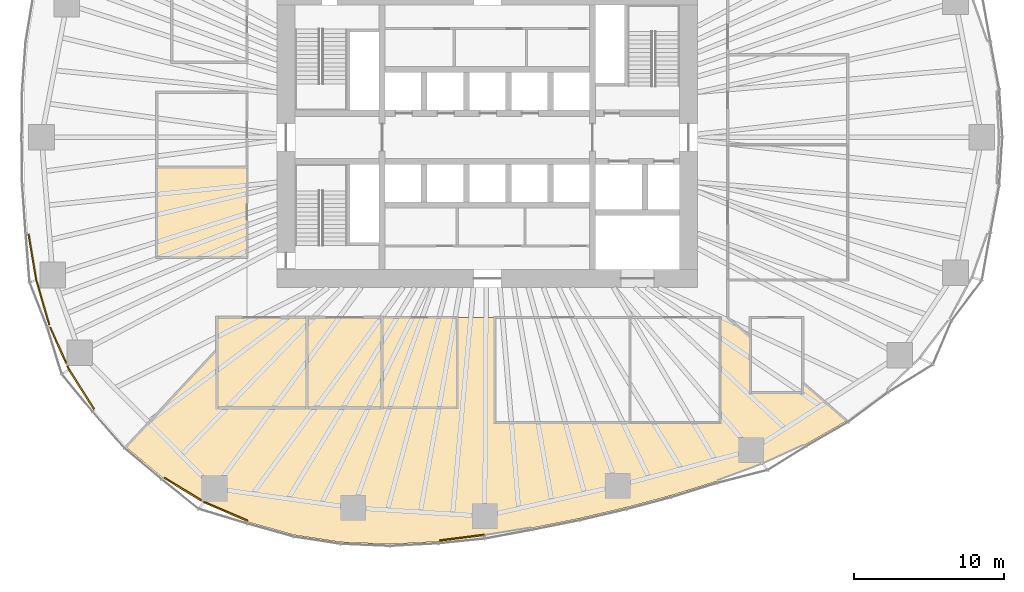
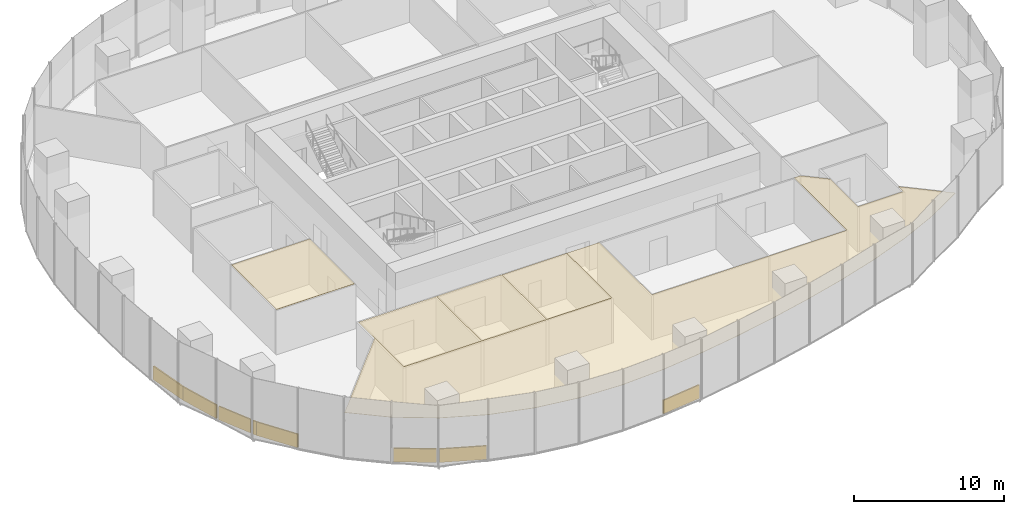
# One storey, part 17 of 20: 13 coverings.
"""IFC4 building model written with IfcOpenShell, lengths in metres."""

import ifcopenshell
import ifcopenshell.guid

model = None  # the IFC model being written
_history = None  # IfcOwnerHistory: only IFC2X3 demands one
_inside = {}  # id of a spatial element -> (the spatial element, [elements in it])
_under = {}  # id of a project, library or spatial element -> (it, [spatial elements below it])
_declared = {}  # id of a project -> (the project, [libraries it declares])
_typed = {}  # id of a type object -> (the type object, [elements of that type])
_made_of = {}  # id of a material, layer set ... -> (it, [elements and type objects made of it])


def new_model(schema):
    """Start an empty IFC model of exactly this schema.

    Asked for "IFC4X3", IfcOpenShell would pick the latest addendum, in which some entities
    have other attributes; the version numbers below select the first issue.
    IFC2X3 requires an IfcOwnerHistory on every rooted entity: one is made here for all.
    """
    global model, _history
    if schema == "IFC4X3":
        model = ifcopenshell.file(schema_version=(4, 3, 0, 0))
    else:
        model = ifcopenshell.file(schema=schema)
    _inside.clear()
    _under.clear()
    _declared.clear()
    _typed.clear()
    _made_of.clear()
    _history = None
    if model.schema == "IFC2X3":
        org = make("IfcOrganization", Name="unknown")
        user = make(
            "IfcPersonAndOrganization",
            ThePerson=make("IfcPerson", FamilyName="unknown"),
            TheOrganization=org,
        )
        app = make(
            "IfcApplication",
            ApplicationDeveloper=org,
            Version="unknown",
            ApplicationFullName="unknown",
            ApplicationIdentifier="unknown",
        )
        _history = make(
            "IfcOwnerHistory",
            OwningUser=user,
            OwningApplication=app,
            ChangeAction="ADDED",
            CreationDate=0,
        )
    return model


def make(cls, **values):
    """One entity of the class cls with the attributes given. An attribute that is None is left unset."""
    return model.create_entity(
        cls, **{name: value for name, value in values.items() if value is not None}
    )


def rooted(cls, **values):
    """An entity with a GlobalId (a new one), such as an element, a storey or a relation."""
    return make(cls, GlobalId=ifcopenshell.guid.new(), OwnerHistory=_history, **values)


def si_unit(unit_type, name, prefix=None):
    """IfcSIUnit, for example si_unit("LENGTHUNIT", "METRE", prefix="MILLI")."""
    return make("IfcSIUnit", UnitType=unit_type, Prefix=prefix, Name=name)


def assignment(units):
    """IfcUnitAssignment: the units of a project."""
    return None if units is None else make("IfcUnitAssignment", Units=units)


def point(xyz):
    """IfcCartesianPoint."""
    return None if xyz is None else make("IfcCartesianPoint", Coordinates=xyz)


def direction(xyz):
    """IfcDirection."""
    return None if xyz is None else make("IfcDirection", DirectionRatios=xyz)


def frame(location, z_axis=None, x_axis=None):
    """IfcAxis2Placement3D, a coordinate frame: its origin and axes. An axis left out is left unset."""
    return make(
        "IfcAxis2Placement3D",
        Location=point(location),
        Axis=direction(z_axis),
        RefDirection=direction(x_axis),
    )


def frame_2d(location, x_axis=None):
    """IfcAxis2Placement2D, a coordinate frame in the plane: its origin and x axis."""
    return make(
        "IfcAxis2Placement2D", Location=point(location), RefDirection=direction(x_axis)
    )


def origin():
    """The frame at (0, 0, 0) with its axes left unset."""
    return frame((0.0, 0.0, 0.0))


def origin_2d():
    """The frame at (0, 0) in the plane with its x axis left unset."""
    return frame_2d((0.0, 0.0))


def place(relative_to, where):
    """IfcLocalPlacement: puts the frame where relative to a parent placement (None: the world)."""
    return make(
        "IfcLocalPlacement", PlacementRelTo=relative_to, RelativePlacement=where
    )


def context(
    kind, dimensions, precision=None, world=None, true_north=None, identifier=None
):
    """IfcGeometricRepresentationContext, for example the 3D "Model" context."""
    return make(
        "IfcGeometricRepresentationContext",
        ContextIdentifier=identifier,
        ContextType=kind,
        CoordinateSpaceDimension=dimensions,
        Precision=precision,
        WorldCoordinateSystem=world,
        TrueNorth=true_north,
    )


def subcontext(parent, identifier, kind, view, scale=None):
    """IfcGeometricRepresentationSubContext, for example "Body" below "Model"."""
    return make(
        "IfcGeometricRepresentationSubContext",
        ContextIdentifier=identifier,
        ContextType=kind,
        ParentContext=parent,
        TargetScale=scale,
        TargetView=view,
    )


def project(units=None, contexts=None):
    """IfcProject with its units and contexts."""
    return rooted(
        "IfcProject",
        Name="project",
        RepresentationContexts=contexts,
        UnitsInContext=assignment(units),
    )


def spatial(cls, under=None, at=None, **own):
    """A site, building, storey or space (cls), placed at a placement, below another one or the project."""
    s = rooted(cls, ObjectPlacement=at, **own)
    if under is not None:
        _under.setdefault(under.id(), (under, []))[1].append(s)
    return s


def polyline(points):
    """IfcPolyline through the points."""
    return make("IfcPolyline", Points=[point(p) for p in points])


def profile(cls, at=None, kind="AREA", **sizes):
    """A parametric profile (cls). Its sizes go by their IFC names, for example OverallWidth=200.0."""
    return make(cls, ProfileType=kind, Position=at, **sizes)


def rectangle(**sizes):
    """IfcRectangleProfileDef."""
    return profile("IfcRectangleProfileDef", **sizes)


def outline(outer, holes=None, kind="AREA"):
    """IfcArbitraryClosedProfileDef: a profile drawn as a closed curve; with holes, ...WithVoids."""
    if holes is None:
        return make("IfcArbitraryClosedProfileDef", ProfileType=kind, OuterCurve=outer)
    return make(
        "IfcArbitraryProfileDefWithVoids",
        ProfileType=kind,
        OuterCurve=outer,
        InnerCurves=holes,
    )


def extrude(swept, where, along, depth):
    """IfcExtrudedAreaSolid: the profile swept, set in the frame where, extruded along a direction by depth."""
    return make(
        "IfcExtrudedAreaSolid",
        SweptArea=swept,
        Position=where,
        ExtrudedDirection=direction(along),
        Depth=depth,
    )


def shape(context_of_items, identifier, shape_type, items):
    """IfcShapeRepresentation: the items that make up one representation, for example the "Body"."""
    return make(
        "IfcShapeRepresentation",
        ContextOfItems=context_of_items,
        RepresentationIdentifier=identifier,
        RepresentationType=shape_type,
        Items=items,
    )


def material(Name=None, Category=None):
    """IfcMaterial."""
    return make("IfcMaterial", Name=Name, Category=Category)


def layer(
    of_material, thickness, ventilated=None, Name=None, Category=None, Priority=None
):
    """IfcMaterialLayer: one layer of a wall or slab, of a material (None: an air gap)."""
    return make(
        "IfcMaterialLayer",
        Material=of_material,
        LayerThickness=thickness,
        IsVentilated=ventilated,
        Name=Name,
        Category=Category,
        Priority=Priority,
    )


def layer_set(layers, Name=None):
    """IfcMaterialLayerSet."""
    return make("IfcMaterialLayerSet", MaterialLayers=layers, LayerSetName=Name)


def made_of(thing, what):
    """Note that an element or type object is made of a material, layer set ...; save() writes the relation."""
    if what is not None:
        _made_of.setdefault(what.id(), (what, []))[1].append(thing)
    return thing


def type_object(cls, material=None, **own):
    """A type object (cls), such as IfcWallType, which elements share."""
    return made_of(rooted(cls, **own), material)


def element(
    cls,
    number,
    at=None,
    inside=None,
    cuts=None,
    type_object=None,
    material=None,
    context=None,
    identifier="Body",
    shape_type=None,
    held_by="IfcProductDefinitionShape",
    body=None,
    shapes=None,
    **own,
):
    """One element of the class cls, such as IfcWall. Its Tag is "e" and its number.

    at: its placement. inside: the storey or other place that contains it. cuts: it is an
    opening in that element (IfcRelVoidsElement). A single representation is given by context,
    identifier, shape_type and body (its items); several are given by shapes. held_by: the class
    of the entity that holds the representations. save() writes the other relations.
    """
    e = rooted(cls, Tag="e%d" % number, ObjectPlacement=at, **own)
    if body is not None:
        shapes = [shape(context, identifier, shape_type, body)]
    if shapes is not None:
        e.Representation = make(held_by, Representations=shapes)
    if inside is not None:
        _inside.setdefault(inside.id(), (inside, []))[1].append(e)
    if cuts is not None:
        rooted(
            "IfcRelVoidsElement", RelatingBuildingElement=cuts, RelatedOpeningElement=e
        )
    if type_object is not None:
        _typed.setdefault(type_object.id(), (type_object, []))[1].append(e)
    return made_of(e, material)


def aggregate(whole, parts):
    """IfcRelAggregates: a whole, such as a stair, and the parts it consists of."""
    return rooted("IfcRelAggregates", RelatingObject=whole, RelatedObjects=parts)


def save(model, path):
    """Write the relations noted so far, then the file.

    IfcRelAggregates (storeys below a building ...), IfcRelContainedInSpatialStructure (elements
    in a storey), IfcRelDefinesByType, IfcRelAssociatesMaterial and IfcRelDeclares: one each for
    every whole, place, type object, material and project.
    """
    for whole, parts in _under.values():
        aggregate(whole, parts)
    for where, things in _inside.values():
        rooted(
            "IfcRelContainedInSpatialStructure",
            RelatedElements=things,
            RelatingStructure=where,
        )
    for kind, things in _typed.values():
        rooted("IfcRelDefinesByType", RelatedObjects=things, RelatingType=kind)
    for what, things in _made_of.values():
        rooted("IfcRelAssociatesMaterial", RelatedObjects=things, RelatingMaterial=what)
    for by, libraries in _declared.values():
        rooted("IfcRelDeclares", RelatingContext=by, RelatedDefinitions=libraries)
    model.write(path)


model = new_model("IFC4")

# Units and contexts
model_context = context("Model", 3, precision=1e-05, world=origin(), true_north=direction((0.0, 1.0)))
body_context = subcontext(model_context, "Body", "Model", "MODEL_VIEW")
ifc_project = project(units=[si_unit("LENGTHUNIT", "METRE"), si_unit("AREAUNIT", "SQUARE_METRE"), si_unit("VOLUMEUNIT", "CUBIC_METRE"), si_unit("PLANEANGLEUNIT", "RADIAN"), si_unit("MASSUNIT", "GRAM", prefix="KILO")], contexts=[model_context])

# Site, building, storey
site_placement = place(None, origin())
site = spatial("IfcSite", under=ifc_project, at=site_placement, CompositionType="ELEMENT")
building_placement = place(site_placement, origin())
building = spatial("IfcBuilding", under=site, at=building_placement, Name="Ghaith Harvest Tower", CompositionType="ELEMENT")
storey_placement = place(building_placement, frame((0.0, 0.0, 60.0)))
storey = spatial("IfcBuildingStorey", under=building, at=storey_placement, Name="L12", CompositionType="ELEMENT", Elevation=60.0)

# Coverings
ifc_material_1 = material(Name="Mineral fibre ceiling tile", Category="gypsum")
ifc_layer_1 = layer(ifc_material_1, 0.02490234375)
ifc_layer_set_1 = layer_set([ifc_layer_1], Name="CEILING C2")
covering_type_1 = type_object("IfcCoveringType", Name="CEILING C2", PredefinedType="CEILING", material=ifc_layer_set_1)
covering_1_placement = place(storey_placement, frame((0.0, 0.0, 3.60009765625)))
element("IfcCovering", 1, at=covering_1_placement, inside=storey, type_object=covering_type_1, Name="Ceiling L12-07", PredefinedType="CEILING", context=body_context, shape_type="SweptSolid", body=[
    extrude(outline(polyline([(-22.0, -8.0), (-16.0, -8.0), (-16.0, -2.0), (-22.0, -2.0), (-22.0, -8.0)])), origin(), (0.0, 0.0, 1.0), 0.02490234375),
])
covering_2_placement = place(storey_placement, frame((0.0, 0.0, 3.60009765625)))
element("IfcCovering", 2, at=covering_2_placement, inside=storey, type_object=covering_type_1, Name="Ceiling L12-09", PredefinedType="CEILING", context=body_context, shape_type="SweptSolid", body=[
    extrude(outline(polyline([(-18.0, -18.0), (-12.0, -18.0), (-12.0, -12.0), (-18.0, -12.0), (-18.0, -18.0)])), origin(), (0.0, 0.0, 1.0), 0.02490234375),
])
covering_3_placement = place(storey_placement, frame((0.0, 0.0, 3.60009765625)))
element("IfcCovering", 3, at=covering_3_placement, inside=storey, type_object=covering_type_1, Name="Ceiling L12-10", PredefinedType="CEILING", context=body_context, shape_type="SweptSolid", body=[
    extrude(outline(polyline([(-12.0, -18.0), (-7.0, -18.0), (-7.0, -12.0), (-12.0, -12.0), (-12.0, -18.0)])), origin(), (0.0, 0.0, 1.0), 0.02490234375),
])
covering_4_placement = place(storey_placement, frame((0.0, 0.0, 3.60009765625)))
element("IfcCovering", 4, at=covering_4_placement, inside=storey, type_object=covering_type_1, Name="Ceiling L12-11", PredefinedType="CEILING", context=body_context, shape_type="SweptSolid", body=[
    extrude(outline(polyline([(-7.0, -18.0), (-2.0, -18.0), (-2.0, -12.0), (-7.0, -12.0), (-7.0, -18.0)])), origin(), (0.0, 0.0, 1.0), 0.02490234375),
])
covering_5_placement = place(storey_placement, frame((0.0, 0.0, 3.60009765625)))
element("IfcCovering", 5, at=covering_5_placement, inside=storey, type_object=covering_type_1, Name="Ceiling L12-S1", PredefinedType="CEILING", context=body_context, shape_type="SweptSolid", body=[
    extrude(outline(polyline([(-12.828125, -26.476806640625), (-15.907958984375, -25.614501953125), (-18.8935546875, -24.32763671875), (-21.59912109375, -22.671142578125), (-24.04833984375, -20.618408203125), (-18.0, -14.1416015625), (-18.0, -18.0), (-2.0, -18.0), (-2.0, -12.0), (0.5, -12.0), (0.5, -19.0), (15.5, -19.0), (15.5, -12.0), (16.0, -12.0), (17.5, -13.301025390625), (17.5, -17.0), (21.0, -17.0), (21.0, -16.336669921875), (23.92431640625, -18.873046875), (21.149169921875, -20.469482421875), (18.34521484375, -21.7548828125), (15.22119140625, -22.916259765625), (12.1796875, -23.857666015625), (9.21533203125, -24.65087890625), (6.10888671875, -25.378662109375), (2.99560546875, -26.004150390625), (-0.181396484375, -26.527099609375), (-3.24755859375, -26.91064453125), (-6.4375, -27.0849609375), (-9.733642578125, -26.949951171875), (-12.828125, -26.476806640625)])), origin(), (0.0, 0.0, 1.0), 0.02490234375),
])
ifc_material_2 = material(Name="Insulated aluminium spandrel panel on steel framing", Category="steel")
ifc_layer_2 = layer(ifc_material_2, 0.10009765625)
ifc_layer_set_2 = layer_set([ifc_layer_2], Name="SLAB EDGE UPSTAND 1100x100")
covering_type_2 = type_object("IfcCoveringType", Name="SLAB EDGE UPSTAND 1100x100", PredefinedType="CLADDING", material=ifc_layer_set_2)
covering_6_placement = place(storey_placement, frame((-30.28271484375, -7.982177734375, 0.0), z_axis=(0.0, 0.0, 1.0), x_axis=(0.165246181786, -0.986252350773, 0.0)))
element("IfcCovering", 6, at=covering_6_placement, inside=storey, type_object=covering_type_2, Name="Slab edge upstand 3 bay 11 L12", PredefinedType="CLADDING", context=body_context, shape_type="SweptSolid", body=[
    extrude(rectangle(XDim=3.124267578125, YDim=0.10009765625, at=origin_2d()), origin(), (0.0, 0.0, 1.0), 1.10009765625),
])
covering_7_placement = place(storey_placement, frame((-29.593994140625, -10.997314453125, 0.0), z_axis=(0.0, 0.0, 1.0), x_axis=(0.280032411303, -0.95999054611, 0.0)))
element("IfcCovering", 7, at=covering_7_placement, inside=storey, type_object=covering_type_2, Name="Slab edge upstand 1 bay 12 L12", PredefinedType="CLADDING", context=body_context, shape_type="SweptSolid", body=[
    extrude(rectangle(XDim=3.084228515625, YDim=0.10009765625, at=origin_2d()), origin(), (0.0, 0.0, 1.0), 1.10009765625),
])
covering_8_placement = place(storey_placement, frame((-28.56689453125, -13.84619140625, 0.0), z_axis=(0.0, 0.0, 1.0), x_axis=(0.407003427802, -0.913426630747, 0.0)))
element("IfcCovering", 8, at=covering_8_placement, inside=storey, type_object=covering_type_2, Name="Slab edge upstand 2 bay 12 L12", PredefinedType="CLADDING", context=body_context, shape_type="SweptSolid", body=[
    extrude(rectangle(XDim=2.60009765625, YDim=0.10009765625, at=origin_2d()), origin(), (0.0, 0.0, 1.0), 1.10009765625),
])
covering_9_placement = place(storey_placement, frame((-27.89501953125, -15.35400390625, 0.0), z_axis=(0.0, 0.0, 1.0), x_axis=(0.407003427802, -0.913426630747, 0.0)))
element("IfcCovering", 9, at=covering_9_placement, inside=storey, type_object=covering_type_2, Name="Slab edge upstand 2 bay 12 L12", PredefinedType="CLADDING", context=body_context, shape_type="SweptSolid", body=[
    extrude(rectangle(XDim=0.29052734375, YDim=0.10009765625, at=origin_2d()), origin(), (0.0, 0.0, 1.0), 1.10009765625),
])
covering_10_placement = place(storey_placement, frame((-27.0078125, -16.787353515625, 0.0), z_axis=(0.0, 0.0, 1.0), x_axis=(0.536807372204, -0.843704832952, 0.0)))
element("IfcCovering", 10, at=covering_10_placement, inside=storey, type_object=covering_type_2, Name="Slab edge upstand 3 bay 12 L12", PredefinedType="CLADDING", context=body_context, shape_type="SweptSolid", body=[
    extrude(rectangle(XDim=3.098388671875, YDim=0.10009765625, at=origin_2d()), origin(), (0.0, 0.0, 1.0), 1.10009765625),
])
covering_11_placement = place(storey_placement, frame((-20.265869140625, -23.4287109375, 0.0), z_axis=(0.0, 0.0, 1.0), x_axis=(0.852846651269, -0.522161459148, 0.0)))
element("IfcCovering", 11, at=covering_11_placement, inside=storey, type_object=covering_type_2, Name="Slab edge upstand 3 bay 13 L12", PredefinedType="CLADDING", context=body_context, shape_type="SweptSolid", body=[
    extrude(rectangle(XDim=2.864990234375, YDim=0.10009765625, at=origin_2d()), origin(), (0.0, 0.0, 1.0), 1.10009765625),
])
covering_12_placement = place(storey_placement, frame((-17.421875, -24.907470703125, 0.0), z_axis=(0.0, 0.0, 1.0), x_axis=(0.918306928324, -0.395869151856, 0.0)))
element("IfcCovering", 12, at=covering_12_placement, inside=storey, type_object=covering_type_2, Name="Slab edge upstand 1 bay 14 L12", PredefinedType="CLADDING", context=body_context, shape_type="SweptSolid", body=[
    extrude(rectangle(XDim=3.140380859375, YDim=0.10009765625, at=origin_2d()), origin(), (0.0, 0.0, 1.0), 1.10009765625),
])
covering_13_placement = place(storey_placement, frame((-1.671142578125, -26.6630859375, 0.0), z_axis=(0.0, 0.0, 1.0), x_axis=(0.992264868881, 0.124138752952, 0.0)))
element("IfcCovering", 13, at=covering_13_placement, inside=storey, type_object=covering_type_2, Name="Slab edge upstand 3 bay 15 L12", PredefinedType="CLADDING", context=body_context, shape_type="SweptSolid", body=[
    extrude(rectangle(XDim=2.98974609375, YDim=0.10009765625, at=origin_2d()), origin(), (0.0, 0.0, 1.0), 1.10009765625),
])

save(model, "model.ifc")
